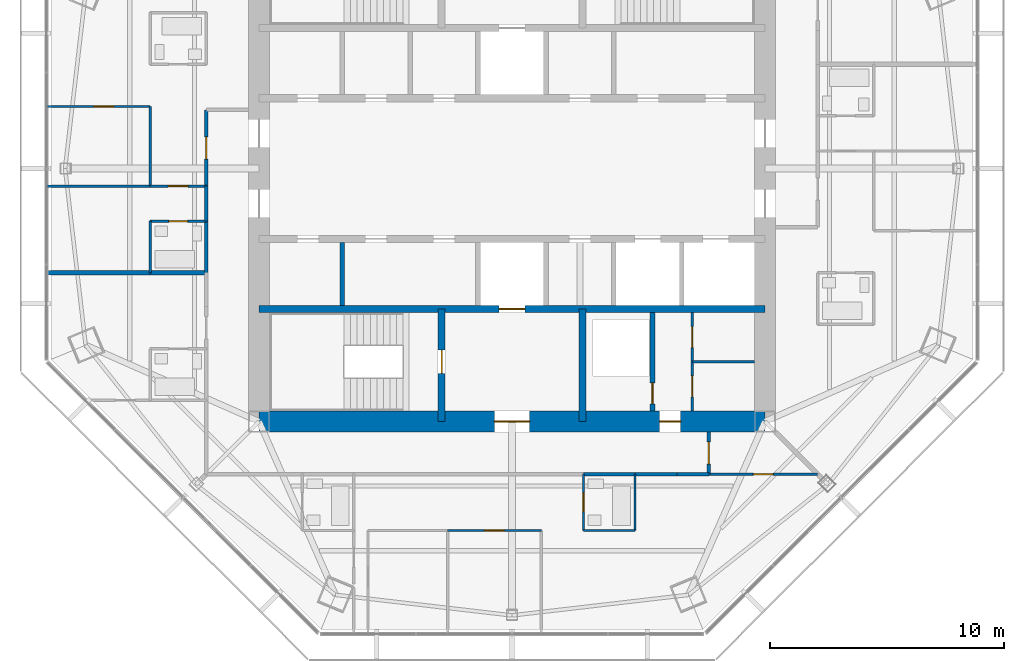
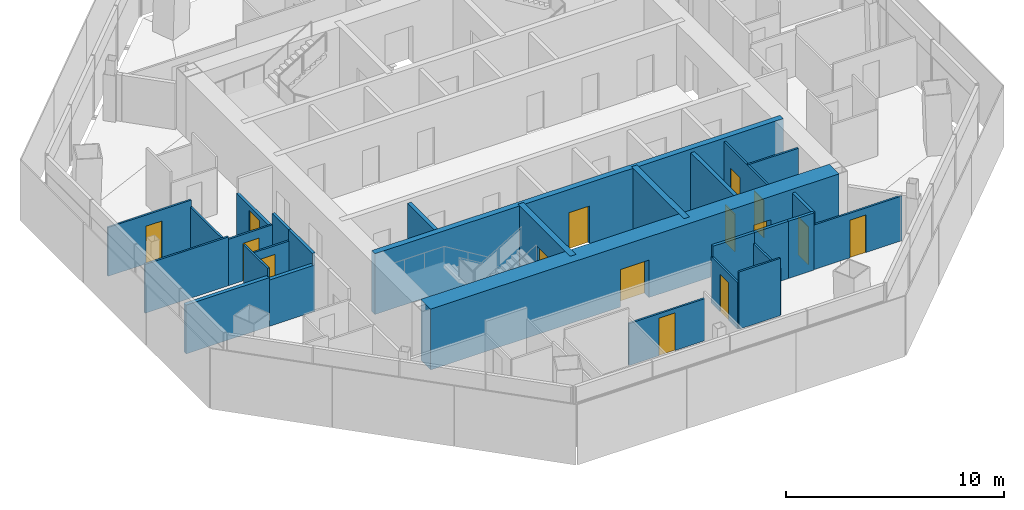
# One storey, part 9 of 14: 28 walls, 15 doors, 15 openings.
"""IFC4 building model written with IfcOpenShell, lengths in metres."""

from ifc_helpers import new_model, si_unit, direction, frame, frame_2d, origin, place, context, subcontext, project, spatial, rectangle, extrude, material, layer, layer_set, type_object, element, fill, save


model = new_model("IFC4")

# Units and contexts
model_context = context("Model", 3, precision=1e-05, world=origin(), true_north=direction((0.0, 1.0)))
body_context = subcontext(model_context, "Body", "Model", "MODEL_VIEW")
ifc_project = project(units=[si_unit("LENGTHUNIT", "METRE"), si_unit("AREAUNIT", "SQUARE_METRE"), si_unit("VOLUMEUNIT", "CUBIC_METRE"), si_unit("PLANEANGLEUNIT", "RADIAN"), si_unit("MASSUNIT", "GRAM", prefix="KILO")], contexts=[model_context])

# Site, building, storey
site_placement = place(None, origin())
site = spatial("IfcSite", under=ifc_project, at=site_placement, CompositionType="ELEMENT")
building_placement = place(site_placement, origin())
building = spatial("IfcBuilding", under=site, at=building_placement, Name="Mashrafa Tower", CompositionType="ELEMENT")
storey_placement = place(building_placement, frame((0.0, 0.0, 287.800048828125)))
storey = spatial("IfcBuildingStorey", under=building, at=storey_placement, Name="L70", CompositionType="ELEMENT", Elevation=287.800048828125)

# Walls
ifc_material_1 = material(Name="Gypsum board on steel studs", Category="steel")
ifc_layer_1 = layer(ifc_material_1, 0.199951171875)
ifc_layer_set_1 = layer_set([ifc_layer_1], Name="Acoustic partition 200 1 hr")
wall_type_1 = type_object("IfcWallType", Name="Acoustic partition 200 1 hr", PredefinedType="PARTITIONING", material=ifc_layer_set_1)
wall_1_placement = place(storey_placement, frame((-15.449951171875, -4.449951171875, 0.0), z_axis=(0.0, 0.0, 1.0), x_axis=(1.0, 0.0, 0.0)))
element("IfcWall", 1, at=wall_1_placement, inside=storey, type_object=wall_type_1, Name="Acoustic wall L70-077", PredefinedType="PARTITIONING", context=body_context, shape_type="SweptSolid", body=[
    extrude(rectangle(XDim=2.39990234375, YDim=0.199951171875, at=frame_2d((1.199951171875, 0.0))), origin(), (0.0, 0.0, 1.0), 2.590576171875),
])
wall_2_placement = place(storey_placement, frame((-19.855224609375, -4.449951171875, 0.0), z_axis=(0.0, 0.0, 1.0), x_axis=(1.0, 0.0, 0.0)))
element("IfcWall", 2, at=wall_2_placement, inside=storey, type_object=wall_type_1, Name="Acoustic wall L70-079", PredefinedType="PARTITIONING", context=body_context, shape_type="SweptSolid", body=[
    extrude(rectangle(XDim=4.4052734375, YDim=0.199951171875, at=frame_2d((2.20263671875, 0.0))), origin(), (0.0, 0.0, 1.0), 2.730224609375),
])

# Wall, opening, door
ifc_material_2 = material(Name="Concrete masonry unit", Category="masonry")
ifc_layer_2 = layer(ifc_material_2, 0.199951171875)
ifc_layer_set_2 = layer_set([ifc_layer_2], Name="Blockwork wall 200 2 hr")
wall_type_2 = type_object("IfcWallType", Name="Blockwork wall 200 2 hr", PredefinedType="PARTITIONING", material=ifc_layer_set_2)
wall_3_placement = place(storey_placement, frame((6.0, -10.35009765625, 0.0), z_axis=(0.0, 0.0, 1.0), x_axis=(0.0, 1.0, 0.0)))
wall_3 = element("IfcWall", 3, at=wall_3_placement, inside=storey, type_object=wall_type_2, Name="Riser enclosure wall L70", PredefinedType="PARTITIONING", context=body_context, shape_type="SweptSolid", body=[
    extrude(rectangle(XDim=4.2001953125, YDim=0.199951171875, at=frame_2d((2.10009765625, 0.0))), origin(), (0.0, 0.0, 1.0), 3.199951171875),
])
opening_1_placement = place(wall_3_placement, frame((0.300048828125, 0.0, 0.0)))
opening_1 = element("IfcOpeningElement", 4, at=opening_1_placement, cuts=wall_3, Name="Opening 70.041", PredefinedType="OPENING", context=body_context, shape_type="SweptSolid", body=[
    extrude(rectangle(XDim=0.89990234375, YDim=2.10009765625, at=frame_2d((0.449951171875, 1.050048828125))), frame((0.0, 0.10986328125, 0.0), z_axis=(0.0, -1.0, 0.0), x_axis=(1.0, 0.0, 0.0)), (0.0, 0.0, 1.0), 0.219970703125),
])
ifc_material_3 = material(Name="Steel door", Category="steel")
door_type_1 = type_object("IfcDoorType", Name="Service door 900 x 2100 90 min", OperationType="USERDEFINED", PredefinedType="DOOR", material=ifc_material_3)
door_1_placement = place(opening_1_placement, origin())
door_1 = element("IfcDoor", 5, at=door_1_placement, inside=storey, type_object=door_type_1, Name="Riser door L70", OperationType="SINGLE_SWING_LEFT", OverallHeight=2.10009765625, OverallWidth=0.89990234375, PredefinedType="DOOR", context=body_context, shape_type="SweptSolid", body=[
    extrude(rectangle(XDim=0.89990234375, YDim=2.10009765625, at=frame_2d((0.449951171875, 1.050048828125))), frame((0.0, 0.02490234375, 0.0), z_axis=(0.0, -1.0, 0.0), x_axis=(1.0, 0.0, 0.0)), (0.0, 0.0, 1.0), 0.050048828125),
])
fill(opening_1, door_1)

ifc_material_4 = material(Name="Concrete C50/60", Category="concrete")
ifc_layer_3 = layer(ifc_material_4, 0.300048828125)
ifc_layer_set_3 = layer_set([ifc_layer_3], Name="Core wall 300 C50/60")
wall_type_3 = type_object("IfcWallType", Name="Core wall 300 C50/60", PredefinedType="SOLIDWALL", material=ifc_layer_set_3)
wall_4_placement = place(storey_placement, frame((-10.800048828125, -6.0, 0.0), z_axis=(0.0, 0.0, 1.0), x_axis=(1.0, 0.0, 0.0)))
wall_4 = element("IfcWall", 6, at=wall_4_placement, inside=storey, type_object=wall_type_3, Name="Core wall CB-S L70", PredefinedType="SOLIDWALL", context=body_context, shape_type="SweptSolid", body=[
    extrude(rectangle(XDim=21.60009765625, YDim=0.300048828125, at=frame_2d((10.800048828125, 0.0))), origin(), (0.0, 0.0, 1.0), 3.39990234375),
])
opening_2_placement = place(wall_4_placement, frame((10.25, 0.0, 0.0)))
opening_2 = element("IfcOpeningElement", 7, at=opening_2_placement, cuts=wall_4, Name="Opening 70.F2", PredefinedType="OPENING", context=body_context, shape_type="SweptSolid", body=[
    extrude(rectangle(XDim=1.10009765625, YDim=2.10009765625, at=frame_2d((0.550048828125, 1.050048828125))), frame((0.0, 0.159912109375, 0.0), z_axis=(0.0, -1.0, 0.0), x_axis=(1.0, 0.0, 0.0)), (0.0, 0.0, 1.0), 0.320068359375),
])
ifc_material_5 = material(Name="Steel door", Category="steel")
door_type_2 = type_object("IfcDoorType", Name="Lift landing door 1100 x 2100 90 min", OperationType="DOUBLE_DOOR_SLIDING", PredefinedType="DOOR", material=ifc_material_5)
door_2_placement = place(opening_2_placement, origin())
door_2 = element("IfcDoor", 8, at=door_2_placement, inside=storey, type_object=door_type_2, Name="Lift landing door F2 L70", OperationType="DOUBLE_DOOR_SLIDING", OverallHeight=2.10009765625, OverallWidth=1.10009765625, PredefinedType="DOOR", context=body_context, shape_type="SweptSolid", body=[
    extrude(rectangle(XDim=1.10009765625, YDim=2.10009765625, at=frame_2d((0.550048828125, 1.050048828125))), frame((0.0, 0.02490234375, 0.0), z_axis=(0.0, -1.0, 0.0), x_axis=(1.0, 0.0, 0.0)), (0.0, 0.0, 1.0), 0.050048828125),
])
fill(opening_2, door_2)

wall_5_placement = place(storey_placement, frame((-3.0, -6.0, 0.0), z_axis=(0.0, 0.0, 1.0), x_axis=(0.0, -1.0, 0.0)))
wall_5 = element("IfcWall", 9, at=wall_5_placement, inside=storey, type_object=wall_type_3, Name="Core wall CX-SW L70", PredefinedType="SOLIDWALL", context=body_context, shape_type="SweptSolid", body=[
    extrude(rectangle(XDim=4.800048828125, YDim=0.300048828125, at=frame_2d((2.39990234375, 0.0))), origin(), (0.0, 0.0, 1.0), 3.39990234375),
])
opening_3_placement = place(wall_5_placement, frame((1.75, 0.0, 0.0)))
opening_3 = element("IfcOpeningElement", 10, at=opening_3_placement, cuts=wall_5, Name="Opening 70.039", PredefinedType="OPENING", context=body_context, shape_type="SweptSolid", body=[
    extrude(rectangle(XDim=1.0, YDim=2.10009765625, at=frame_2d((0.5, 1.050048828125))), frame((0.0, 0.159912109375, 0.0), z_axis=(0.0, -1.0, 0.0), x_axis=(1.0, 0.0, 0.0)), (0.0, 0.0, 1.0), 0.320068359375),
])
ifc_material_6 = material(Name="Steel door", Category="steel")
door_type_3 = type_object("IfcDoorType", Name="Stair door 1000 x 2100 90 min", OperationType="USERDEFINED", PredefinedType="DOOR", material=ifc_material_6)
door_3_placement = place(opening_3_placement, frame((1.0, 0.0, 0.0), z_axis=(0.0, 0.0, 1.0), x_axis=(-1.0, 0.0, 0.0)))
door_3 = element("IfcDoor", 11, at=door_3_placement, inside=storey, type_object=door_type_3, Name="Stair S3 door L70", OperationType="SINGLE_SWING_RIGHT", OverallHeight=2.10009765625, OverallWidth=1.0, PredefinedType="DOOR", context=body_context, shape_type="SweptSolid", body=[
    extrude(rectangle(XDim=1.0, YDim=2.10009765625, at=frame_2d((0.5, 1.050048828125))), frame((0.0, 0.02490234375, 0.0), z_axis=(0.0, -1.0, 0.0), x_axis=(1.0, 0.0, 0.0)), (0.0, 0.0, 1.0), 0.050048828125),
])
fill(opening_3, door_3)

# Wall
wall_6_placement = place(storey_placement, frame((3.0, -6.0, 0.0), z_axis=(0.0, 0.0, 1.0), x_axis=(0.0, -1.0, 0.0)))
element("IfcWall", 12, at=wall_6_placement, inside=storey, type_object=wall_type_3, Name="Core wall CX-SE L70", PredefinedType="SOLIDWALL", context=body_context, shape_type="SweptSolid", body=[
    extrude(rectangle(XDim=4.800048828125, YDim=0.300048828125, at=frame_2d((2.39990234375, 0.0))), origin(), (0.0, 0.0, 1.0), 3.39990234375),
])

# Wall, openings, doors
ifc_material_7 = material(Name="Concrete C50/60", Category="concrete")
ifc_layer_4 = layer(ifc_material_7, 0.89990234375)
ifc_layer_set_4 = layer_set([ifc_layer_4], Name="Core wall 900 C50/60")
wall_type_4 = type_object("IfcWallType", Name="Core wall 900 C50/60", PredefinedType="SOLIDWALL", material=ifc_layer_set_4)
wall_7_placement = place(storey_placement, frame((-10.800048828125, -10.800048828125, 0.0), z_axis=(0.0, 0.0, 1.0), x_axis=(1.0, 0.0, 0.0)))
wall_7 = element("IfcWall", 13, at=wall_7_placement, inside=storey, type_object=wall_type_4, Name="Core wall CW-S L70", PredefinedType="SOLIDWALL", context=body_context, shape_type="SweptSolid", body=[
    extrude(rectangle(XDim=21.60009765625, YDim=0.89990234375, at=frame_2d((10.800048828125, 0.0))), origin(), (0.0, 0.0, 1.0), 3.39990234375),
])
opening_4_placement = place(wall_7_placement, frame((10.050048828125, 0.0, 0.0)))
opening_4 = element("IfcOpeningElement", 14, at=opening_4_placement, cuts=wall_7, Name="Opening 70.036", PredefinedType="OPENING", context=body_context, shape_type="SweptSolid", body=[
    extrude(rectangle(XDim=1.5, YDim=2.10009765625, at=frame_2d((0.75, 1.050048828125))), frame((0.0, 0.4599609375, 0.0), z_axis=(0.0, -1.0, 0.0), x_axis=(1.0, 0.0, 0.0)), (0.0, 0.0, 1.0), 0.919921875),
])
opening_5_placement = place(wall_7_placement, frame((17.10009765625, 0.0, 0.0)))
opening_5 = element("IfcOpeningElement", 15, at=opening_5_placement, cuts=wall_7, Name="Opening 70.040", PredefinedType="OPENING", context=body_context, shape_type="SweptSolid", body=[
    extrude(rectangle(XDim=0.89990234375, YDim=2.10009765625, at=frame_2d((0.449951171875, 1.050048828125))), frame((0.0, 0.4599609375, 0.0), z_axis=(0.0, -1.0, 0.0), x_axis=(1.0, 0.0, 0.0)), (0.0, 0.0, 1.0), 0.919921875),
])
ifc_material_8 = material(Name="Steel door", Category="steel")
door_type_4 = type_object("IfcDoorType", Name="Lobby door pair 1500 x 2100 90 min", OperationType="DOUBLE_DOOR_SINGLE_SWING", PredefinedType="DOOR", material=ifc_material_8)
door_4_placement = place(opening_4_placement, origin())
door_4 = element("IfcDoor", 16, at=door_4_placement, inside=storey, type_object=door_type_4, Name="Fire-fighting lobby F2 door L70", OperationType="DOUBLE_DOOR_SINGLE_SWING", OverallHeight=2.10009765625, OverallWidth=1.5, PredefinedType="DOOR", context=body_context, shape_type="SweptSolid", body=[
    extrude(rectangle(XDim=1.5, YDim=2.10009765625, at=frame_2d((0.75, 1.050048828125))), frame((0.0, 0.02490234375, 0.0), z_axis=(0.0, -1.0, 0.0), x_axis=(1.0, 0.0, 0.0)), (0.0, 0.0, 1.0), 0.050048828125),
])
fill(opening_4, door_4)
door_5_placement = place(opening_5_placement, frame((0.89990234375, 0.0, 0.0), z_axis=(0.0, 0.0, 1.0), x_axis=(-1.0, 0.0, 0.0)))
door_5 = element("IfcDoor", 17, at=door_5_placement, inside=storey, type_object=door_type_1, Name="Services Lobby L70 door", OperationType="SINGLE_SWING_LEFT", OverallHeight=2.10009765625, OverallWidth=0.89990234375, PredefinedType="DOOR", context=body_context, shape_type="SweptSolid", body=[
    extrude(rectangle(XDim=0.89990234375, YDim=2.10009765625, at=frame_2d((0.449951171875, 1.050048828125))), frame((0.0, 0.02490234375, 0.0), z_axis=(0.0, -1.0, 0.0), x_axis=(1.0, 0.0, 0.0)), (0.0, 0.0, 1.0), 0.050048828125),
])
fill(opening_5, door_5)

# Walls
ifc_material_9 = material(Name="Gypsum board on steel studs", Category="steel")
ifc_layer_5 = layer(ifc_material_9, 0.14990234375)
ifc_layer_set_5 = layer_set([ifc_layer_5], Name="Corridor partition 150 1 hr")
wall_type_5 = type_object("IfcWallType", Name="Corridor partition 150 1 hr", PredefinedType="PARTITIONING", material=ifc_layer_set_5)
wall_8_placement = place(storey_placement, frame((-13.050048828125, -2.2490234375, 0.0), z_axis=(0.0, 0.0, 1.0), x_axis=(0.0, -1.0, 0.0)))
element("IfcWall", 18, at=wall_8_placement, inside=storey, type_object=wall_type_5, Name="Corridor wall L70-013", PredefinedType="PARTITIONING", context=body_context, shape_type="SweptSolid", body=[
    extrude(rectangle(XDim=2.201904296875, YDim=0.14990234375, at=frame_2d((1.10107421875, 0.0))), origin(), (0.0, 0.0, 1.0), 3.199951171875),
])
wall_9_placement = place(storey_placement, frame((-13.050048828125, -0.7490234375, 0.0), z_axis=(0.0, 0.0, 1.0), x_axis=(0.0, -1.0, 0.0)))
element("IfcWall", 19, at=wall_9_placement, inside=storey, type_object=wall_type_5, Name="Corridor wall L70-014", PredefinedType="PARTITIONING", context=body_context, shape_type="SweptSolid", body=[
    extrude(rectangle(XDim=1.501953125, YDim=0.14990234375, at=frame_2d((0.7509765625, 0.0))), origin(), (0.0, 0.0, 1.0), 3.199951171875),
])

# Wall, opening, door
wall_10_placement = place(storey_placement, frame((-13.050048828125, 2.5, 0.0), z_axis=(0.0, 0.0, 1.0), x_axis=(0.0, -1.0, 0.0)))
wall_10 = element("IfcWall", 20, at=wall_10_placement, inside=storey, type_object=wall_type_5, Name="Corridor wall L70-016", PredefinedType="PARTITIONING", context=body_context, shape_type="SweptSolid", body=[
    extrude(rectangle(XDim=3.2509765625, YDim=0.14990234375, at=frame_2d((1.62548828125, 0.0))), origin(), (0.0, 0.0, 1.0), 2.349365234375),
])
opening_6_placement = place(wall_10_placement, frame((1.150390625, 0.0, 0.0)))
opening_6 = element("IfcOpeningElement", 21, at=opening_6_placement, cuts=wall_10, Name="Opening 70.020", PredefinedType="OPENING", context=body_context, shape_type="SweptSolid", body=[
    extrude(rectangle(XDim=0.949951171875, YDim=2.10009765625, at=frame_2d((0.47509765625, 1.050048828125))), frame((0.0, 0.0849609375, 0.0), z_axis=(0.0, -1.0, 0.0), x_axis=(1.0, 0.0, 0.0)), (0.0, 0.0, 1.0), 0.169921875),
])
ifc_material_10 = material(Name="Steel door", Category="steel")
door_type_5 = type_object("IfcDoorType", Name="Residence entrance door 950 x 2100 20 min", OperationType="USERDEFINED", PredefinedType="DOOR", material=ifc_material_10)
door_6_placement = place(opening_6_placement, frame((0.949951171875, 0.0, 0.0), z_axis=(0.0, 0.0, 1.0), x_axis=(-1.0, 0.0, 0.0)))
door_6 = element("IfcDoor", 22, at=door_6_placement, inside=storey, type_object=door_type_5, Name="Apartment 7004 Living Room door", OperationType="SINGLE_SWING_LEFT", OverallHeight=2.10009765625, OverallWidth=0.949951171875, PredefinedType="DOOR", context=body_context, shape_type="SweptSolid", body=[
    extrude(rectangle(XDim=0.949951171875, YDim=2.10009765625, at=frame_2d((0.47509765625, 1.050048828125))), frame((0.0, 0.02490234375, 0.0), z_axis=(0.0, -1.0, 0.0), x_axis=(1.0, 0.0, 0.0)), (0.0, 0.0, 1.0), 0.050048828125),
])
fill(opening_6, door_6)

# Walls
wall_11_placement = place(storey_placement, frame((5.2490234375, -13.050048828125, 0.0), z_axis=(0.0, 0.0, 1.0), x_axis=(1.0, 0.0, 0.0)))
element("IfcWall", 23, at=wall_11_placement, inside=storey, type_object=wall_type_5, Name="Corridor wall L70-021", PredefinedType="PARTITIONING", context=body_context, shape_type="SweptSolid", body=[
    extrude(rectangle(XDim=1.802001953125, YDim=0.14990234375, at=frame_2d((0.90087890625, 0.0))), origin(), (0.0, 0.0, 1.0), 3.199951171875),
])
wall_12_placement = place(storey_placement, frame((3.049072265625, -13.050048828125, 0.0), z_axis=(0.0, 0.0, 1.0), x_axis=(1.0, 0.0, 0.0)))
element("IfcWall", 24, at=wall_12_placement, inside=storey, type_object=wall_type_5, Name="Corridor wall L70-022", PredefinedType="PARTITIONING", context=body_context, shape_type="SweptSolid", body=[
    extrude(rectangle(XDim=2.201904296875, YDim=0.14990234375, at=frame_2d((1.10107421875, 0.0))), origin(), (0.0, 0.0, 1.0), 3.199951171875),
])
wall_13_placement = place(storey_placement, frame((7.049072265625, -13.050048828125, 0.0), z_axis=(0.0, 0.0, 1.0), x_axis=(1.0, 0.0, 0.0)))
element("IfcWall", 25, at=wall_13_placement, inside=storey, type_object=wall_type_5, Name="Corridor wall L70-026", PredefinedType="PARTITIONING", context=body_context, shape_type="SweptSolid", body=[
    extrude(rectangle(XDim=1.350830078125, YDim=0.14990234375, at=frame_2d((0.67529296875, 0.0))), origin(), (0.0, 0.0, 1.0), 3.199951171875),
])

# Wall, opening, door
wall_14_placement = place(storey_placement, frame((8.39990234375, -13.050048828125, 0.0), z_axis=(0.0, 0.0, 1.0), x_axis=(0.0, 1.0, 0.0)))
wall_14 = element("IfcWall", 26, at=wall_14_placement, inside=storey, type_object=wall_type_5, Name="Corridor wall L70-027", PredefinedType="PARTITIONING", context=body_context, shape_type="SweptSolid", body=[
    extrude(rectangle(XDim=1.800048828125, YDim=0.14990234375, at=frame_2d((0.89990234375, 0.0))), origin(), (0.0, 0.0, 1.0), 3.199951171875),
])
opening_7_placement = place(wall_14_placement, frame((0.425048828125, 0.0, 0.0)))
opening_7 = element("IfcOpeningElement", 27, at=opening_7_placement, cuts=wall_14, Name="Opening 70.029", PredefinedType="OPENING", context=body_context, shape_type="SweptSolid", body=[
    extrude(rectangle(XDim=0.949951171875, YDim=2.10009765625, at=frame_2d((0.47509765625, 1.050048828125))), frame((0.0, 0.0849609375, 0.0), z_axis=(0.0, -1.0, 0.0), x_axis=(1.0, 0.0, 0.0)), (0.0, 0.0, 1.0), 0.169921875),
])
door_7_placement = place(opening_7_placement, origin())
door_7 = element("IfcDoor", 28, at=door_7_placement, inside=storey, type_object=door_type_5, Name="Apartment 7006 Entrance Hall door", OperationType="SINGLE_SWING_LEFT", OverallHeight=2.10009765625, OverallWidth=0.949951171875, PredefinedType="DOOR", context=body_context, shape_type="SweptSolid", body=[
    extrude(rectangle(XDim=0.949951171875, YDim=2.10009765625, at=frame_2d((0.47509765625, 1.050048828125))), frame((0.0, 0.02490234375, 0.0), z_axis=(0.0, -1.0, 0.0), x_axis=(1.0, 0.0, 0.0)), (0.0, 0.0, 1.0), 0.050048828125),
])
fill(opening_7, door_7)

# Walls
ifc_material_11 = material(Name="Gypsum board on steel studs", Category="steel")
ifc_layer_6 = layer(ifc_material_11, 0.10009765625)
ifc_layer_set_6 = layer_set([ifc_layer_6], Name="Partition 100")
wall_type_6 = type_object("IfcWallType", Name="Partition 100", PredefinedType="PARTITIONING", material=ifc_layer_set_6)
wall_15_placement = place(storey_placement, frame((-19.855224609375, -0.75, 0.0), z_axis=(0.0, 0.0, 1.0), x_axis=(1.0, 0.0, 0.0)))
element("IfcWall", 29, at=wall_15_placement, inside=storey, type_object=wall_type_6, Name="Partition wall L70-072", PredefinedType="PARTITIONING", context=body_context, shape_type="SweptSolid", body=[
    extrude(rectangle(XDim=4.4052734375, YDim=0.10009765625, at=frame_2d((2.20263671875, 0.0))), origin(), (0.0, 0.0, 1.0), 2.730224609375),
])
wall_16_placement = place(storey_placement, frame((-15.449951171875, -0.75, 0.0), z_axis=(0.0, 0.0, 1.0), x_axis=(0.0, 1.0, 0.0)))
element("IfcWall", 30, at=wall_16_placement, inside=storey, type_object=wall_type_6, Name="Partition wall L70-073", PredefinedType="PARTITIONING", context=body_context, shape_type="SweptSolid", body=[
    extrude(rectangle(XDim=3.39990234375, YDim=0.10009765625, at=frame_2d((1.699951171875, 0.0))), origin(), (0.0, 0.0, 1.0), 2.349365234375),
])

# Wall, opening, door
wall_17_placement = place(storey_placement, frame((-15.449951171875, 2.64990234375, 0.0), z_axis=(0.0, 0.0, 1.0), x_axis=(-1.0, 0.0, 0.0)))
wall_17 = element("IfcWall", 31, at=wall_17_placement, inside=storey, type_object=wall_type_6, Name="Partition wall L70-074", PredefinedType="PARTITIONING", context=body_context, shape_type="SweptSolid", body=[
    extrude(rectangle(XDim=4.407470703125, YDim=0.10009765625, at=frame_2d((2.20361328125, 0.0))), origin(), (0.0, 0.0, 1.0), 2.730224609375),
])
opening_8_placement = place(wall_17_placement, frame((1.5615234375, 0.0, 0.0)))
opening_8 = element("IfcOpeningElement", 32, at=opening_8_placement, cuts=wall_17, Name="Opening 70.017", PredefinedType="OPENING", context=body_context, shape_type="SweptSolid", body=[
    extrude(rectangle(XDim=0.85009765625, YDim=2.10009765625, at=frame_2d((0.425048828125, 1.050048828125))), frame((0.0, 0.06005859375, 0.0), z_axis=(0.0, -1.0, 0.0), x_axis=(1.0, 0.0, 0.0)), (0.0, 0.0, 1.0), 0.1201171875),
])
ifc_material_12 = material(Name="Timber door", Category="wood")
door_type_6 = type_object("IfcDoorType", Name="Bedroom door 850 x 2100", OperationType="USERDEFINED", PredefinedType="DOOR", material=ifc_material_12)
door_8_placement = place(opening_8_placement, origin())
door_8 = element("IfcDoor", 33, at=door_8_placement, inside=storey, type_object=door_type_6, Name="Apartment 7004 Bedroom 1 door", OperationType="SINGLE_SWING_LEFT", OverallHeight=2.10009765625, OverallWidth=0.85009765625, PredefinedType="DOOR", context=body_context, shape_type="SweptSolid", body=[
    extrude(rectangle(XDim=0.85009765625, YDim=2.10009765625, at=frame_2d((0.425048828125, 1.050048828125))), frame((0.0, 0.02490234375, 0.0), z_axis=(0.0, -1.0, 0.0), x_axis=(1.0, 0.0, 0.0)), (0.0, 0.0, 1.0), 0.050048828125),
])
fill(opening_8, door_8)

wall_18_placement = place(storey_placement, frame((-13.050048828125, -2.25, 0.0), z_axis=(0.0, 0.0, 1.0), x_axis=(-1.0, 0.0, 0.0)))
wall_18 = element("IfcWall", 34, at=wall_18_placement, inside=storey, type_object=wall_type_6, Name="Partition wall L70-075", PredefinedType="PARTITIONING", context=body_context, shape_type="SweptSolid", body=[
    extrude(rectangle(XDim=2.39990234375, YDim=0.10009765625, at=frame_2d((1.199951171875, 0.0))), origin(), (0.0, 0.0, 1.0), 2.590576171875),
])
opening_9_placement = place(wall_18_placement, frame((0.800048828125, 0.0, 0.0)))
opening_9 = element("IfcOpeningElement", 35, at=opening_9_placement, cuts=wall_18, Name="Opening 70.018", PredefinedType="OPENING", context=body_context, shape_type="SweptSolid", body=[
    extrude(rectangle(XDim=0.800048828125, YDim=2.10009765625, at=frame_2d((0.39990234375, 1.050048828125))), frame((0.0, 0.06005859375, 0.0), z_axis=(0.0, -1.0, 0.0), x_axis=(1.0, 0.0, 0.0)), (0.0, 0.0, 1.0), 0.1201171875),
])
ifc_material_13 = material(Name="Timber door", Category="wood")
door_type_7 = type_object("IfcDoorType", Name="Bathroom door 800 x 2100", OperationType="USERDEFINED", PredefinedType="DOOR", material=ifc_material_13)
door_9_placement = place(opening_9_placement, origin())
door_9 = element("IfcDoor", 36, at=door_9_placement, inside=storey, type_object=door_type_7, Name="Apartment 7004 En-suite Bathroom door", OperationType="SINGLE_SWING_RIGHT", OverallHeight=2.10009765625, OverallWidth=0.800048828125, PredefinedType="DOOR", context=body_context, shape_type="SweptSolid", body=[
    extrude(rectangle(XDim=0.800048828125, YDim=2.10009765625, at=frame_2d((0.39990234375, 1.050048828125))), frame((0.0, 0.02490234375, 0.0), z_axis=(0.0, -1.0, 0.0), x_axis=(1.0, 0.0, 0.0)), (0.0, 0.0, 1.0), 0.050048828125),
])
fill(opening_9, door_9)

# Wall
wall_19_placement = place(storey_placement, frame((-15.449951171875, -2.25, 0.0), z_axis=(0.0, 0.0, 1.0), x_axis=(0.0, -1.0, 0.0)))
element("IfcWall", 37, at=wall_19_placement, inside=storey, type_object=wall_type_6, Name="Partition wall L70-076", PredefinedType="PARTITIONING", context=body_context, shape_type="SweptSolid", body=[
    extrude(rectangle(XDim=2.199951171875, YDim=0.10009765625, at=frame_2d((1.10009765625, 0.0))), origin(), (0.0, 0.0, 1.0), 3.199951171875),
])

# Wall, opening, door
wall_20_placement = place(storey_placement, frame((-13.050048828125, -0.75, 0.0), z_axis=(0.0, 0.0, 1.0), x_axis=(-1.0, 0.0, 0.0)))
wall_20 = element("IfcWall", 38, at=wall_20_placement, inside=storey, type_object=wall_type_6, Name="Partition wall L70-078", PredefinedType="PARTITIONING", context=body_context, shape_type="SweptSolid", body=[
    extrude(rectangle(XDim=2.40087890625, YDim=0.10009765625, at=frame_2d((1.200439453125, 0.0))), origin(), (0.0, 0.0, 1.0), 2.590576171875),
])
opening_10_placement = place(wall_20_placement, frame((0.775390625, 0.0, 0.0)))
opening_10 = element("IfcOpeningElement", 39, at=opening_10_placement, cuts=wall_20, Name="Opening 70.019", PredefinedType="OPENING", context=body_context, shape_type="SweptSolid", body=[
    extrude(rectangle(XDim=0.85009765625, YDim=2.10009765625, at=frame_2d((0.425048828125, 1.050048828125))), frame((0.0, 0.06005859375, 0.0), z_axis=(0.0, -1.0, 0.0), x_axis=(1.0, 0.0, 0.0)), (0.0, 0.0, 1.0), 0.1201171875),
])
door_10_placement = place(opening_10_placement, origin())
door_10 = element("IfcDoor", 40, at=door_10_placement, inside=storey, type_object=door_type_6, Name="Apartment 7004 Bedroom 2 door", OperationType="SINGLE_SWING_LEFT", OverallHeight=2.10009765625, OverallWidth=0.85009765625, PredefinedType="DOOR", context=body_context, shape_type="SweptSolid", body=[
    extrude(rectangle(XDim=0.85009765625, YDim=2.10009765625, at=frame_2d((0.425048828125, 1.050048828125))), frame((0.0, 0.02490234375, 0.0), z_axis=(0.0, -1.0, 0.0), x_axis=(1.0, 0.0, 0.0)), (0.0, 0.0, 1.0), 0.050048828125),
])
fill(opening_10, door_10)

# Wall
wall_21_placement = place(storey_placement, frame((5.25, -13.050048828125, 0.0), z_axis=(0.0, 0.0, 1.0), x_axis=(0.0, -1.0, 0.0)))
element("IfcWall", 41, at=wall_21_placement, inside=storey, type_object=wall_type_6, Name="Partition wall L70-086", PredefinedType="PARTITIONING", context=body_context, shape_type="SweptSolid", body=[
    extrude(rectangle(XDim=2.39990234375, YDim=0.10009765625, at=frame_2d((1.199951171875, 0.0))), origin(), (0.0, 0.0, 1.0), 2.590576171875),
])

# Wall, opening, door
wall_22_placement = place(storey_placement, frame((3.050048828125, -13.050048828125, 0.0), z_axis=(0.0, 0.0, 1.0), x_axis=(0.0, -1.0, 0.0)))
wall_22 = element("IfcWall", 42, at=wall_22_placement, inside=storey, type_object=wall_type_6, Name="Partition wall L70-087", PredefinedType="PARTITIONING", context=body_context, shape_type="SweptSolid", body=[
    extrude(rectangle(XDim=2.39990234375, YDim=0.10009765625, at=frame_2d((1.199951171875, 0.0))), origin(), (0.0, 0.0, 1.0), 2.590576171875),
])
opening_11_placement = place(wall_22_placement, frame((0.800048828125, 0.0, 0.0)))
opening_11 = element("IfcOpeningElement", 43, at=opening_11_placement, cuts=wall_22, Name="Opening 70.024", PredefinedType="OPENING", context=body_context, shape_type="SweptSolid", body=[
    extrude(rectangle(XDim=0.800048828125, YDim=2.10009765625, at=frame_2d((0.39990234375, 1.050048828125))), frame((0.0, 0.06005859375, 0.0), z_axis=(0.0, -1.0, 0.0), x_axis=(1.0, 0.0, 0.0)), (0.0, 0.0, 1.0), 0.1201171875),
])
door_11_placement = place(opening_11_placement, origin())
door_11 = element("IfcDoor", 44, at=door_11_placement, inside=storey, type_object=door_type_7, Name="Apartment 7006 Bathroom door", OperationType="SINGLE_SWING_RIGHT", OverallHeight=2.10009765625, OverallWidth=0.800048828125, PredefinedType="DOOR", context=body_context, shape_type="SweptSolid", body=[
    extrude(rectangle(XDim=0.800048828125, YDim=2.10009765625, at=frame_2d((0.39990234375, 1.050048828125))), frame((0.0, 0.02490234375, 0.0), z_axis=(0.0, -1.0, 0.0), x_axis=(1.0, 0.0, 0.0)), (0.0, 0.0, 1.0), 0.050048828125),
])
fill(opening_11, door_11)

# Wall
wall_23_placement = place(storey_placement, frame((3.050048828125, -15.449951171875, 0.0), z_axis=(0.0, 0.0, 1.0), x_axis=(1.0, 0.0, 0.0)))
element("IfcWall", 45, at=wall_23_placement, inside=storey, type_object=wall_type_6, Name="Partition wall L70-088", PredefinedType="PARTITIONING", context=body_context, shape_type="SweptSolid", body=[
    extrude(rectangle(XDim=2.199951171875, YDim=0.10009765625, at=frame_2d((1.10009765625, 0.0))), origin(), (0.0, 0.0, 1.0), 3.199951171875),
])

# Wall, opening, door
wall_24_placement = place(storey_placement, frame((1.25, -15.449951171875, 0.0), z_axis=(0.0, 0.0, 1.0), x_axis=(-1.0, 0.0, 0.0)))
wall_24 = element("IfcWall", 46, at=wall_24_placement, inside=storey, type_object=wall_type_6, Name="Partition wall L70-090", PredefinedType="PARTITIONING", context=body_context, shape_type="SweptSolid", body=[
    extrude(rectangle(XDim=4.0, YDim=0.10009765625, at=frame_2d((2.0, 0.0))), origin(), (0.0, 0.0, 1.0), 2.349365234375),
])
opening_12_placement = place(wall_24_placement, frame((1.574951171875, 0.0, 0.0)))
opening_12 = element("IfcOpeningElement", 47, at=opening_12_placement, cuts=wall_24, Name="Opening 70.025", PredefinedType="OPENING", context=body_context, shape_type="SweptSolid", body=[
    extrude(rectangle(XDim=0.85009765625, YDim=2.10009765625, at=frame_2d((0.425048828125, 1.050048828125))), frame((0.0, 0.06005859375, 0.0), z_axis=(0.0, -1.0, 0.0), x_axis=(1.0, 0.0, 0.0)), (0.0, 0.0, 1.0), 0.1201171875),
])
door_12_placement = place(opening_12_placement, origin())
door_12 = element("IfcDoor", 48, at=door_12_placement, inside=storey, type_object=door_type_6, Name="Apartment 7006 Bedroom 1 door", OperationType="SINGLE_SWING_LEFT", OverallHeight=2.10009765625, OverallWidth=0.85009765625, PredefinedType="DOOR", context=body_context, shape_type="SweptSolid", body=[
    extrude(rectangle(XDim=0.85009765625, YDim=2.10009765625, at=frame_2d((0.425048828125, 1.050048828125))), frame((0.0, 0.02490234375, 0.0), z_axis=(0.0, -1.0, 0.0), x_axis=(1.0, 0.0, 0.0)), (0.0, 0.0, 1.0), 0.050048828125),
])
fill(opening_12, door_12)

wall_25_placement = place(storey_placement, frame((13.050048828125, -13.050048828125, 0.0), z_axis=(0.0, 0.0, 1.0), x_axis=(-1.0, 0.0, 0.0)))
wall_25 = element("IfcWall", 49, at=wall_25_placement, inside=storey, type_object=wall_type_6, Name="Partition wall L70-096", PredefinedType="PARTITIONING", context=body_context, shape_type="SweptSolid", body=[
    extrude(rectangle(XDim=4.651123046875, YDim=0.10009765625, at=frame_2d((2.32568359375, 0.0))), origin(), (0.0, 0.0, 1.0), 2.49658203125),
])
opening_13_placement = place(wall_25_placement, frame((1.900390625, 0.0, 0.0)))
opening_13 = element("IfcOpeningElement", 50, at=opening_13_placement, cuts=wall_25, Name="Opening 70.028", PredefinedType="OPENING", context=body_context, shape_type="SweptSolid", body=[
    extrude(rectangle(XDim=0.85009765625, YDim=2.10009765625, at=frame_2d((0.425048828125, 1.050048828125))), frame((0.0, 0.06005859375, 0.0), z_axis=(0.0, -1.0, 0.0), x_axis=(1.0, 0.0, 0.0)), (0.0, 0.0, 1.0), 0.1201171875),
])
door_13_placement = place(opening_13_placement, origin())
door_13 = element("IfcDoor", 51, at=door_13_placement, inside=storey, type_object=door_type_6, Name="Apartment 7006 Living Room door", OperationType="SINGLE_SWING_LEFT", OverallHeight=2.10009765625, OverallWidth=0.85009765625, PredefinedType="DOOR", context=body_context, shape_type="SweptSolid", body=[
    extrude(rectangle(XDim=0.85009765625, YDim=2.10009765625, at=frame_2d((0.425048828125, 1.050048828125))), frame((0.0, 0.02490234375, 0.0), z_axis=(0.0, -1.0, 0.0), x_axis=(1.0, 0.0, 0.0)), (0.0, 0.0, 1.0), 0.050048828125),
])
fill(opening_13, door_13)

# Wall, openings, doors
ifc_material_14 = material(Name="Gypsum board on steel studs", Category="steel")
ifc_layer_7 = layer(ifc_material_14, 0.10009765625)
ifc_layer_set_7 = layer_set([ifc_layer_7], Name="Partition 100 1 hr")
wall_type_7 = type_object("IfcWallType", Name="Partition 100 1 hr", PredefinedType="PARTITIONING", material=ifc_layer_set_7)
wall_26_placement = place(storey_placement, frame((7.699951171875, -10.35009765625, 0.0), z_axis=(0.0, 0.0, 1.0), x_axis=(0.0, 1.0, 0.0)))
wall_26 = element("IfcWall", 52, at=wall_26_placement, inside=storey, type_object=wall_type_7, Name="Services lobby partition A L70", PredefinedType="PARTITIONING", context=body_context, shape_type="SweptSolid", body=[
    extrude(rectangle(XDim=4.2001953125, YDim=0.10009765625, at=frame_2d((2.10009765625, 0.0))), origin(), (0.0, 0.0, 1.0), 3.199951171875),
])
opening_14_placement = place(wall_26_placement, frame((2.699951171875, 0.0, 0.0)))
opening_14 = element("IfcOpeningElement", 53, at=opening_14_placement, cuts=wall_26, Name="Opening 70.042", PredefinedType="OPENING", context=body_context, shape_type="SweptSolid", body=[
    extrude(rectangle(XDim=0.89990234375, YDim=2.10009765625, at=frame_2d((0.449951171875, 1.050048828125))), frame((0.0, 0.06005859375, 0.0), z_axis=(0.0, -1.0, 0.0), x_axis=(1.0, 0.0, 0.0)), (0.0, 0.0, 1.0), 0.1201171875),
])
opening_15_placement = place(wall_26_placement, frame((0.60009765625, 0.0, 0.0)))
opening_15 = element("IfcOpeningElement", 54, at=opening_15_placement, cuts=wall_26, Name="Opening 70.043", PredefinedType="OPENING", context=body_context, shape_type="SweptSolid", body=[
    extrude(rectangle(XDim=0.89990234375, YDim=2.10009765625, at=frame_2d((0.449951171875, 1.050048828125))), frame((0.0, 0.06005859375, 0.0), z_axis=(0.0, -1.0, 0.0), x_axis=(1.0, 0.0, 0.0)), (0.0, 0.0, 1.0), 0.1201171875),
])
ifc_material_15 = material(Name="Timber door", Category="wood")
door_type_8 = type_object("IfcDoorType", Name="Store door 900 x 2100", OperationType="USERDEFINED", PredefinedType="DOOR", material=ifc_material_15)
door_14_placement = place(opening_14_placement, frame((0.89990234375, 0.0, 0.0), z_axis=(0.0, 0.0, 1.0), x_axis=(-1.0, 0.0, 0.0)))
door_14 = element("IfcDoor", 55, at=door_14_placement, inside=storey, type_object=door_type_8, Name="Communications Room L70 door", OperationType="SINGLE_SWING_RIGHT", OverallHeight=2.10009765625, OverallWidth=0.89990234375, PredefinedType="DOOR", context=body_context, shape_type="SweptSolid", body=[
    extrude(rectangle(XDim=0.89990234375, YDim=2.10009765625, at=frame_2d((0.449951171875, 1.050048828125))), frame((0.0, 0.02490234375, 0.0), z_axis=(0.0, -1.0, 0.0), x_axis=(1.0, 0.0, 0.0)), (0.0, 0.0, 1.0), 0.050048828125),
])
fill(opening_14, door_14)
door_15_placement = place(opening_15_placement, frame((0.89990234375, 0.0, 0.0), z_axis=(0.0, 0.0, 1.0), x_axis=(-1.0, 0.0, 0.0)))
door_15 = element("IfcDoor", 56, at=door_15_placement, inside=storey, type_object=door_type_8, Name="Building Services Store L70 door", OperationType="SINGLE_SWING_LEFT", OverallHeight=2.10009765625, OverallWidth=0.89990234375, PredefinedType="DOOR", context=body_context, shape_type="SweptSolid", body=[
    extrude(rectangle(XDim=0.89990234375, YDim=2.10009765625, at=frame_2d((0.449951171875, 1.050048828125))), frame((0.0, 0.02490234375, 0.0), z_axis=(0.0, -1.0, 0.0), x_axis=(1.0, 0.0, 0.0)), (0.0, 0.0, 1.0), 0.050048828125),
])
fill(opening_15, door_15)

# Walls
wall_27_placement = place(storey_placement, frame((7.699951171875, -8.25, 0.0), z_axis=(0.0, 0.0, 1.0), x_axis=(1.0, 0.0, 0.0)))
element("IfcWall", 57, at=wall_27_placement, inside=storey, type_object=wall_type_7, Name="Services lobby partition B L70", PredefinedType="PARTITIONING", context=body_context, shape_type="SweptSolid", body=[
    extrude(rectangle(XDim=2.650146484375, YDim=0.10009765625, at=frame_2d((1.3251953125, 0.0))), origin(), (0.0, 0.0, 1.0), 3.199951171875),
])
ifc_material_16 = material(Name="Gypsum shaft wall on steel studs", Category="steel")
ifc_layer_8 = layer(ifc_material_16, 0.199951171875)
ifc_layer_set_8 = layer_set([ifc_layer_8], Name="Shaft divider wall 200 2 hr")
wall_type_8 = type_object("IfcWallType", Name="Shaft divider wall 200 2 hr", PredefinedType="PARTITIONING", material=ifc_layer_set_8)
wall_28_placement = place(storey_placement, frame((-7.25, -5.85009765625, 0.0), z_axis=(0.0, 0.0, 1.0), x_axis=(0.0, 1.0, 0.0)))
element("IfcWall", 58, at=wall_28_placement, inside=storey, type_object=wall_type_8, Name="Shaft divider wall S1 L70", PredefinedType="PARTITIONING", context=body_context, shape_type="SweptSolid", body=[
    extrude(rectangle(XDim=2.7001953125, YDim=0.199951171875, at=frame_2d((1.35009765625, 0.0))), origin(), (0.0, 0.0, 1.0), 3.199951171875),
])

save(model, "model.ifc")
